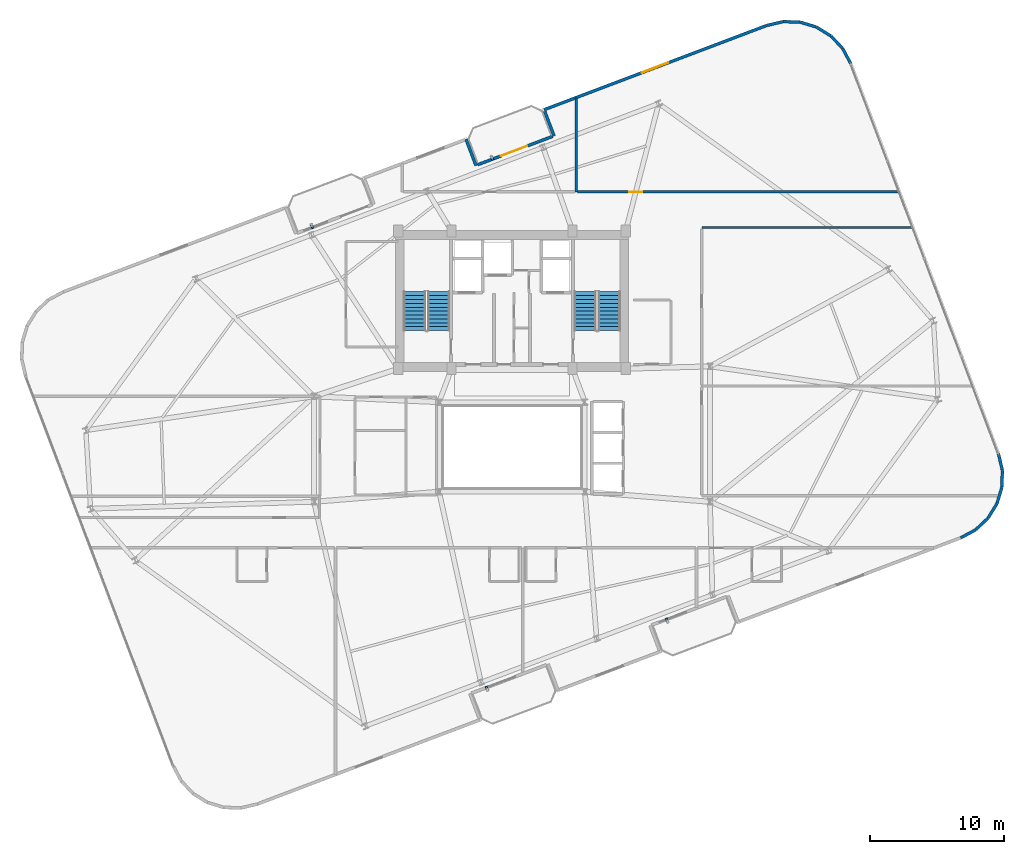
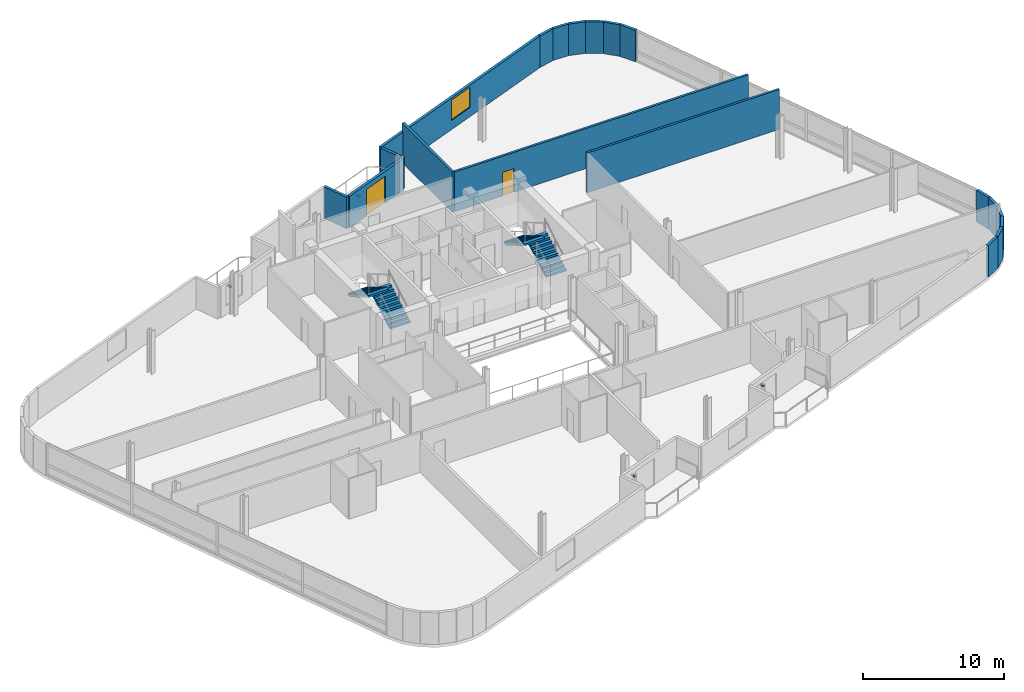
# One storey, part 17 of 19: 19 walls, 4 discrete accessories, 4 stair flights, 2 doors, 1 window, 3 openings, 2 elements without a shape of their own.
"""IFC4 building model written with IfcOpenShell, lengths in metres."""

from ifc_helpers import new_model, si_unit, direction, frame, frame_2d, origin, origin_2d, place, context, subcontext, project, spatial, polyline, rectangle, outline, extrude, source, transform, mapped, material, layer, layer_set, type_object, element, fill, aggregate, save


model = new_model("IFC4")

# Units and contexts
model_context = context("Model", 3, precision=1e-05, world=origin(), true_north=direction((0.0, 1.0)))
body_context = subcontext(model_context, "Body", "Model", "MODEL_VIEW")
ifc_project = project(units=[si_unit("LENGTHUNIT", "METRE"), si_unit("AREAUNIT", "SQUARE_METRE"), si_unit("VOLUMEUNIT", "CUBIC_METRE"), si_unit("PLANEANGLEUNIT", "RADIAN"), si_unit("MASSUNIT", "GRAM", prefix="KILO")], contexts=[model_context])

# Site, building, storey
site_placement = place(None, origin())
site = spatial("IfcSite", under=ifc_project, at=site_placement, CompositionType="ELEMENT")
building_placement = place(site_placement, origin())
building = spatial("IfcBuilding", under=site, at=building_placement, Name="Varnelok Gate Tower", CompositionType="ELEMENT")
storey_placement = place(building_placement, frame((0.0, 0.0, 246.0)))
storey = spatial("IfcBuildingStorey", under=building, at=storey_placement, Name="L63", CompositionType="ELEMENT", Elevation=246.0)

# Wall, opening, door
ifc_material_1 = material(Name="Concrete C45/55", Category="concrete")
ifc_layer_1 = layer(ifc_material_1, 0.219970703125)
ifc_layer_set_1 = layer_set([ifc_layer_1], Name="Concrete C45/55")
wall_type_1 = type_object("IfcWallType", Name="EW-BALC-220", PredefinedType="SOLIDWALL", material=ifc_layer_set_1)
wall_1_placement = place(storey_placement, frame((36.61669921875, 43.98583984375, 0.0), z_axis=(0.0, 0.0, 1.0), x_axis=(0.935227640088, 0.354046976001, 0.0)))
wall_1 = element("IfcWall", 1, at=wall_1_placement, inside=storey, type_object=wall_type_1, Name="L63 North Terrace Envelope Wall 4", PredefinedType="SOLIDWALL", context=body_context, shape_type="SweptSolid", body=[
    extrude(rectangle(XDim=6.0, YDim=0.219970703125, at=frame_2d((3.0, 0.0))), origin(), (0.0, 0.0, 1.0), 2.72998046875),
])
opening_1_placement = place(wall_1_placement, frame((1.887939453125, 0.0, 0.0)))
opening_1 = element("IfcOpeningElement", 2, at=opening_1_placement, cuts=wall_1, Name="Opening BD-2", PredefinedType="OPENING", context=body_context, shape_type="SweptSolid", body=[
    extrude(rectangle(XDim=2.10009765625, YDim=2.300048828125, at=frame_2d((1.050048828125, 1.14990234375))), frame((0.0, 0.119873046875, 0.0), z_axis=(0.0, -1.0, 0.0), x_axis=(1.0, 0.0, 0.0)), (0.0, 0.0, 1.0), 0.239990234375),
])
ifc_material_2 = material(Name="Anodized Aluminum Alloy 6063-T6", Category="aluminium")
door_type_1 = type_object("IfcDoorType", Name="DR-EXT-SLID2100", OperationType="SLIDING_TO_LEFT", PredefinedType="DOOR", material=ifc_material_2)
door_1_placement = place(opening_1_placement, origin())
door_1 = element("IfcDoor", 3, at=door_1_placement, inside=storey, type_object=door_type_1, Name="L63 North Balcony Glazed Door 4", OperationType="SLIDING_TO_LEFT", OverallHeight=2.300048828125, OverallWidth=2.10009765625, PredefinedType="DOOR", context=body_context, shape_type="SweptSolid", body=[
    extrude(rectangle(XDim=2.10009765625, YDim=2.300048828125, at=frame_2d((1.050048828125, 1.14990234375))), frame((0.0, 0.02490234375, 0.0), z_axis=(0.0, -1.0, 0.0), x_axis=(1.0, 0.0, 0.0)), (0.0, 0.0, 1.0), 0.050048828125),
])
fill(opening_1, door_1)

# Walls
wall_2_placement = place(storey_placement, frame((72.74560546875, 16.10498046875, 0.0), z_axis=(0.0, 0.0, 1.0), x_axis=(0.881112879796, 0.472906008693, 0.0)))
element("IfcWall", 4, at=wall_2_placement, inside=storey, type_object=wall_type_1, Name="L63 Perimeter Facade Closure Wall 14", PredefinedType="SOLIDWALL", context=body_context, shape_type="SweptSolid", body=[
    extrude(rectangle(XDim=1.256591796875, YDim=0.219970703125, at=frame_2d((0.62841796875, 0.0))), origin(), (0.0, 0.0, 1.0), 2.72998046875),
])
wall_3_placement = place(storey_placement, frame((73.870849609375, 16.716552734375, 0.0), z_axis=(0.0, 0.0, 1.0), x_axis=(0.728475443486, 0.685071914647, 0.0)))
element("IfcWall", 5, at=wall_3_placement, inside=storey, type_object=wall_type_1, Name="L63 Perimeter Facade Closure Wall 15", PredefinedType="SOLIDWALL", context=body_context, shape_type="SweptSolid", body=[
    extrude(rectangle(XDim=1.248779296875, YDim=0.219970703125, at=frame_2d((0.62451171875, 0.0))), origin(), (0.0, 0.0, 1.0), 2.72998046875),
])
for number, where, z_axis, x_axis, name in (
    (6, (74.793701171875, 17.59326171875, 0.0), (0.0, 0.0, 1.0), (0.526549805576, 0.850144283194, 0.0), "L63 Perimeter Facade Closure Wall 16"),
    (7, (75.458251953125, 18.6787109375, 0.0), (0.0, 0.0, 1.0), (0.288406081086, 0.957508189204, 0.0), "L63 Perimeter Facade Closure Wall 17"),
):
    element("IfcWall", number, at=place(storey_placement, frame(where, z_axis=z_axis, x_axis=x_axis)), inside=storey, type_object=wall_type_1, Name=name, PredefinedType="SOLIDWALL", context=body_context, shape_type="SweptSolid", body=[
        extrude(rectangle(XDim=1.24853515625, YDim=0.219970703125, at=frame_2d((0.624267578125, 0.0))), origin(), (0.0, 0.0, 1.0), 2.72998046875),
    ])
wall_4_placement = place(storey_placement, frame((75.819091796875, 19.8994140625, 0.0), z_axis=(0.0, 0.0, 1.0), x_axis=(0.030898954628, 0.999522513305, 0.0)))
element("IfcWall", 8, at=wall_4_placement, inside=storey, type_object=wall_type_1, Name="L63 Perimeter Facade Closure Wall 18", PredefinedType="SOLIDWALL", context=body_context, shape_type="SweptSolid", body=[
    extrude(rectangle(XDim=1.248291015625, YDim=0.219970703125, at=frame_2d((0.6240234375, 0.0))), origin(), (0.0, 0.0, 1.0), 2.72998046875),
])
wall_5_placement = place(storey_placement, frame((75.851806640625, 21.171630859375, 0.0), z_axis=(0.0, 0.0, 1.0), x_axis=(-0.228941257463, 0.973440239887, 0.0)))
element("IfcWall", 9, at=wall_5_placement, inside=storey, type_object=wall_type_1, Name="L63 Perimeter Facade Closure Wall 19", PredefinedType="SOLIDWALL", context=body_context, shape_type="SweptSolid", body=[
    extrude(rectangle(XDim=1.248779296875, YDim=0.219970703125, at=frame_2d((0.62451171875, 0.0))), origin(), (0.0, 0.0, 1.0), 2.72998046875),
])
wall_6_placement = place(storey_placement, frame((64.519287109375, 51.566162109375, 0.0), z_axis=(0.0, 0.0, 1.0), x_axis=(-0.473093575122, 0.881012184466, 0.0)))
element("IfcWall", 10, at=wall_6_placement, inside=storey, type_object=wall_type_1, Name="L63 Perimeter Facade Closure Wall 20", PredefinedType="SOLIDWALL", context=body_context, shape_type="SweptSolid", body=[
    extrude(rectangle(XDim=1.273681640625, YDim=0.219970703125, at=frame_2d((0.63671875, 0.0))), origin(), (0.0, 0.0, 1.0), 2.72998046875),
])
for number, where, z_axis, x_axis, name in (
    (11, (63.8994140625, 52.706298828125, 0.0), (0.0, 0.0, 1.0), (-0.684870565369, 0.728664743686, 0.0), "L63 Perimeter Facade Closure Wall 21"),
    (12, (63.02294921875, 53.629150390625, 0.0), (0.0, 0.0, 1.0), (-0.850198480006, 0.526462291712, 0.0), "L63 Perimeter Facade Closure Wall 22"),
):
    element("IfcWall", number, at=place(storey_placement, frame(where, z_axis=z_axis, x_axis=x_axis)), inside=storey, type_object=wall_type_1, Name=name, PredefinedType="SOLIDWALL", context=body_context, shape_type="SweptSolid", body=[
        extrude(rectangle(XDim=1.248779296875, YDim=0.219970703125, at=frame_2d((0.62451171875, 0.0))), origin(), (0.0, 0.0, 1.0), 2.72998046875),
    ])
for number, where, z_axis, x_axis, name in (
    (13, (61.937255859375, 54.293701171875, 0.0), (0.0, 0.0, 1.0), (-0.957508189204, 0.288406081086, 0.0), "L63 Perimeter Facade Closure Wall 23"),
    (14, (60.716796875, 54.65478515625, 0.0), (0.0, 0.0, 1.0), (-0.999528718359, 0.030697576053, 0.0), "L63 Perimeter Facade Closure Wall 24"),
):
    element("IfcWall", number, at=place(storey_placement, frame(where, z_axis=z_axis, x_axis=x_axis)), inside=storey, type_object=wall_type_1, Name=name, PredefinedType="SOLIDWALL", context=body_context, shape_type="SweptSolid", body=[
        extrude(rectangle(XDim=1.24853515625, YDim=0.219970703125, at=frame_2d((0.624267578125, 0.0))), origin(), (0.0, 0.0, 1.0), 2.72998046875),
    ])
wall_7_placement = place(storey_placement, frame((59.4443359375, 54.6875, 0.0), z_axis=(0.0, 0.0, 1.0), x_axis=(-0.973409523464, -0.229071821989, 0.0)))
element("IfcWall", 15, at=wall_7_placement, inside=storey, type_object=wall_type_1, Name="L63 Perimeter Facade Closure Wall 25", PredefinedType="SOLIDWALL", context=body_context, shape_type="SweptSolid", body=[
    extrude(rectangle(XDim=1.256591796875, YDim=0.219970703125, at=frame_2d((0.62841796875, 0.0))), origin(), (0.0, 0.0, 1.0), 2.72998046875),
])

# Wall, opening, window
wall_8_placement = place(storey_placement, frame((58.19775390625, 54.390869140625, 0.0), z_axis=(0.0, 0.0, 1.0), x_axis=(-0.935223849772, -0.354056988094, 0.0)))
wall_8 = element("IfcWall", 16, at=wall_8_placement, inside=storey, type_object=wall_type_1, Name="L63 Perimeter Facade Closure Wall 26", PredefinedType="SOLIDWALL", context=body_context, shape_type="SweptSolid", body=[
    extrude(rectangle(XDim=17.7470703125, YDim=0.219970703125, at=frame_2d((8.87353515625, 0.0))), origin(), (0.0, 0.0, 1.0), 2.72998046875),
])
opening_2_placement = place(wall_8_placement, frame((7.823486328125, 0.0, 0.800048828125)))
opening_2 = element("IfcOpeningElement", 17, at=opening_2_placement, cuts=wall_8, Name="Opening WN4", PredefinedType="OPENING", context=body_context, shape_type="SweptSolid", body=[
    extrude(rectangle(XDim=2.10009765625, YDim=1.75, at=frame_2d((1.050048828125, 0.875))), frame((0.0, 0.119873046875, 0.0), z_axis=(0.0, -1.0, 0.0), x_axis=(1.0, 0.0, 0.0)), (0.0, 0.0, 1.0), 0.239990234375),
])
ifc_material_3 = material(Name="Low-E Laminated Double Glazing IGU", Category="glass")
window_type = type_object("IfcWindowType", Name="WN-SUI-2100", PartitioningType="SINGLE_PANEL", PredefinedType="WINDOW", material=ifc_material_3)
window_placement = place(opening_2_placement, origin())
window = element("IfcWindow", 18, at=window_placement, inside=storey, type_object=window_type, Name="L63 Perimeter Vision Window 26", OverallHeight=1.75, OverallWidth=2.10009765625, PartitioningType="SINGLE_PANEL", PredefinedType="WINDOW", context=body_context, shape_type="SweptSolid", body=[
    extrude(rectangle(XDim=2.10009765625, YDim=1.75, at=frame_2d((1.050048828125, 0.875))), frame((0.0, 0.030029296875, 0.0), z_axis=(0.0, -1.0, 0.0), x_axis=(1.0, 0.0, 0.0)), (0.0, 0.0, 1.0), 0.06005859375),
])
fill(opening_2, window)

# Walls
wall_9_placement = place(storey_placement, frame((41.64453125, 47.990478515625, 0.0), z_axis=(0.0, 0.0, 1.0), x_axis=(0.354020680661, -0.935237594232, 0.0)))
element("IfcWall", 19, at=wall_9_placement, inside=storey, type_object=wall_type_1, Name="L63 Perimeter Facade Closure Wall 27", PredefinedType="SOLIDWALL", context=body_context, shape_type="SweptSolid", body=[
    extrude(rectangle(XDim=1.97509765625, YDim=0.219970703125, at=frame_2d((0.987548828125, 0.0))), origin(), (0.0, 0.0, 1.0), 2.72998046875),
])
wall_10_placement = place(storey_placement, frame((36.508056640625, 43.93408203125, 0.0), z_axis=(0.0, 0.0, 1.0), x_axis=(-0.354128469405, 0.935196785258, 0.0)))
element("IfcWall", 20, at=wall_10_placement, inside=storey, type_object=wall_type_1, Name="L63 Perimeter Facade Closure Wall 28", PredefinedType="SOLIDWALL", context=body_context, shape_type="SweptSolid", body=[
    extrude(rectangle(XDim=2.099853515625, YDim=0.219970703125, at=frame_2d((1.0498046875, 0.0))), origin(), (0.0, 0.0, 1.0), 2.72998046875),
])

# Wall, opening, door
ifc_material_4 = material(Name="Gypsum Plasterboard Acoustic Partition", Category="gypsum")
ifc_layer_2 = layer(ifc_material_4, 0.179931640625)
ifc_layer_set_2 = layer_set([ifc_layer_2], Name="Gypsum Plasterboard Acoustic Partition")
wall_type_2 = type_object("IfcWallType", Name="PW-CORR-180", PredefinedType="PARTITIONING", material=ifc_layer_set_2)
wall_11_placement = place(storey_placement, frame((44.080078125, 41.9599609375, 0.0), z_axis=(0.0, 0.0, 1.0), x_axis=(1.0, 0.0, 0.0)))
wall_11 = element("IfcWall", 21, at=wall_11_placement, inside=storey, type_object=wall_type_2, Name="Interior Partition", PredefinedType="PARTITIONING", context=body_context, shape_type="SweptSolid", body=[
    extrude(rectangle(XDim=24.015625, YDim=0.179931640625, at=frame_2d((12.0078125, 0.0))), origin(), (0.0, 0.0, 1.0), 3.449951171875),
])
opening_3_placement = place(wall_11_placement, frame((3.89501953125, 0.0, 0.0)))
opening_3 = element("IfcOpeningElement", 22, at=opening_3_placement, cuts=wall_11, Name="Opening D-I2", PredefinedType="OPENING", context=body_context, shape_type="SweptSolid", body=[
    extrude(rectangle(XDim=0.949951171875, YDim=2.050048828125, at=frame_2d((0.47509765625, 1.02490234375))), frame((0.0, 0.099853515625, 0.0), z_axis=(0.0, -1.0, 0.0), x_axis=(1.0, 0.0, 0.0)), (0.0, 0.0, 1.0), 0.199951171875),
])
ifc_material_5 = material(Name="Engineered Hardwood Timber", Category="wood")
door_type_2 = type_object("IfcDoorType", Name="DR-INT-950", OperationType="NOTDEFINED", PredefinedType="DOOR", material=ifc_material_5)
door_2_placement = place(opening_3_placement, origin())
door_2 = element("IfcDoor", 23, at=door_2_placement, inside=storey, type_object=door_type_2, Name="L63 Wellness Spa Lounge Door", OperationType="SINGLE_SWING_LEFT", OverallHeight=2.050048828125, OverallWidth=0.949951171875, PredefinedType="DOOR", context=body_context, shape_type="SweptSolid", body=[
    extrude(rectangle(XDim=0.949951171875, YDim=2.050048828125, at=frame_2d((0.47509765625, 1.02490234375))), frame((0.0, 0.02490234375, 0.0), z_axis=(0.0, -1.0, 0.0), x_axis=(1.0, 0.0, 0.0)), (0.0, 0.0, 1.0), 0.050048828125),
])
fill(opening_3, door_2)

# Walls
wall_12_placement = place(storey_placement, frame((53.389892578125, 39.300048828125, 0.0), z_axis=(0.0, 0.0, 1.0), x_axis=(1.0, 0.0, 0.0)))
element("IfcWall", 24, at=wall_12_placement, inside=storey, type_object=wall_type_2, Name="Interior Partition", PredefinedType="PARTITIONING", context=body_context, shape_type="SweptSolid", body=[
    extrude(rectangle(XDim=15.712890625, YDim=0.179931640625, at=frame_2d((7.8564453125, 0.0))), origin(), (0.0, 0.0, 1.0), 3.449951171875),
])
ifc_layer_3 = layer(ifc_material_4, 0.205078125)
ifc_layer_set_3 = layer_set([ifc_layer_3], Name="Gypsum Plasterboard Acoustic Partition")
wall_type_3 = type_object("IfcWallType", Name="PW-PARTY-200", PredefinedType="PARTITIONING", material=ifc_layer_set_3)
wall_13_placement = place(storey_placement, frame((44.0, 41.9599609375, 0.0), z_axis=(0.0, 0.0, 1.0), x_axis=(0.0, 1.0, 0.0)))
element("IfcWall", 25, at=wall_13_placement, inside=storey, type_object=wall_type_3, Name="L63 North Party Wall 2", PredefinedType="PARTITIONING", context=body_context, shape_type="SweptSolid", body=[
    extrude(rectangle(XDim=7.034423828125, YDim=0.205078125, at=frame_2d((3.51708984375, 0.0))), origin(), (0.0, 0.0, 1.0), 3.449951171875),
])

# Stair, stair flights
ifc_material_6 = material(Name="Concrete C50/60", Category="concrete")
stair_type = type_object("IfcStairType", Name="STR-CORE-1650", PredefinedType="HALF_TURN_STAIR", material=ifc_material_6)
stair_1_placement = place(storey_placement, origin())
stair_1 = element("IfcStair", 26, at=stair_1_placement, inside=storey, type_object=stair_type, Name="L63 Exit Stair ST-1", PredefinedType="HALF_TURN_STAIR")
stair_flight_type = type_object("IfcStairFlightType", Name="SFL-CORE-1650", PredefinedType="STRAIGHT", material=ifc_material_6)
stair_flight_1_placement = place(storey_placement, frame((33.72509765625, 31.60009765625, 0.0), z_axis=(0.0, 0.0, 1.0), x_axis=(0.0, 1.0, 0.0)))
stair_flight_1 = element("IfcStairFlight", 27, at=stair_flight_1_placement, type_object=stair_flight_type, Name="ST-1 flight 1", NumberOfRisers=11, NumberOfTreads=10, PredefinedType="STRAIGHT", RiserHeight=0.168181818, TreadLength=0.29, context=body_context, shape_type="SweptSolid", body=[
    extrude(outline(polyline([(0.0, 0.0), (0.0, 0.168212890625), (0.2900390625, 0.168212890625), (0.2900390625, 0.33642578125), (0.580078125, 0.33642578125), (0.580078125, 0.504638671875), (0.8701171875, 0.504638671875), (0.8701171875, 0.672607421875), (1.159912109375, 0.672607421875), (1.159912109375, 0.8408203125), (1.449951171875, 0.8408203125), (1.449951171875, 1.009033203125), (1.739990234375, 1.009033203125), (1.739990234375, 1.17724609375), (2.030029296875, 1.17724609375), (2.030029296875, 1.345458984375), (2.320068359375, 1.345458984375), (2.320068359375, 1.513671875), (2.610107421875, 1.513671875), (2.610107421875, 1.681884765625), (2.89990234375, 1.681884765625), (2.89990234375, 1.85009765625), (2.89990234375, 1.508544921875), (0.298828125, 0.0), (0.0, 0.0)])), frame((0.0, 0.824951171875, 0.0), z_axis=(0.0, -1.0, 0.0), x_axis=(1.0, 0.0, 0.0)), (0.0, 0.0, 1.0), 1.64990234375),
])
stair_flight_2_placement = place(storey_placement, frame((31.925048828125, 34.5, 1.85009765625), z_axis=(0.0, 0.0, 1.0), x_axis=(0.0, -1.0, 0.0)))
stair_flight_2 = element("IfcStairFlight", 28, at=stair_flight_2_placement, type_object=stair_flight_type, Name="ST-1 flight 2", NumberOfRisers=11, NumberOfTreads=10, PredefinedType="STRAIGHT", RiserHeight=0.168181818, TreadLength=0.29, context=body_context, shape_type="SweptSolid", body=[
    extrude(outline(polyline([(0.0, 0.0), (0.0, 0.168212890625), (0.2900390625, 0.168212890625), (0.2900390625, 0.33642578125), (0.580078125, 0.33642578125), (0.580078125, 0.504638671875), (0.8701171875, 0.504638671875), (0.8701171875, 0.672607421875), (1.159912109375, 0.672607421875), (1.159912109375, 0.8408203125), (1.449951171875, 0.8408203125), (1.449951171875, 1.009033203125), (1.739990234375, 1.009033203125), (1.739990234375, 1.17724609375), (2.030029296875, 1.17724609375), (2.030029296875, 1.345458984375), (2.320068359375, 1.345458984375), (2.320068359375, 1.513671875), (2.610107421875, 1.513671875), (2.610107421875, 1.681884765625), (2.89990234375, 1.681884765625), (2.89990234375, 1.85009765625), (2.89990234375, 1.508544921875), (0.298828125, 0.0), (0.0, 0.0)])), frame((0.0, 0.824951171875, 0.0), z_axis=(0.0, -1.0, 0.0), x_axis=(1.0, 0.0, 0.0)), (0.0, 0.0, 1.0), 1.64990234375),
])
aggregate(stair_1, [stair_flight_1, stair_flight_2])

stair_2_placement = place(storey_placement, origin())
stair_2 = element("IfcStair", 29, at=stair_2_placement, inside=storey, type_object=stair_type, Name="L63 Exit Stair ST-2", PredefinedType="HALF_TURN_STAIR")
stair_flight_3_placement = place(storey_placement, frame((46.47509765625, 31.60009765625, 0.0), z_axis=(0.0, 0.0, 1.0), x_axis=(0.0, 1.0, 0.0)))
stair_flight_3 = element("IfcStairFlight", 30, at=stair_flight_3_placement, type_object=stair_flight_type, Name="ST-2 flight 1", NumberOfRisers=11, NumberOfTreads=10, PredefinedType="STRAIGHT", RiserHeight=0.168181818, TreadLength=0.29, context=body_context, shape_type="SweptSolid", body=[
    extrude(outline(polyline([(0.0, 0.0), (0.0, 0.168212890625), (0.2900390625, 0.168212890625), (0.2900390625, 0.33642578125), (0.580078125, 0.33642578125), (0.580078125, 0.504638671875), (0.8701171875, 0.504638671875), (0.8701171875, 0.672607421875), (1.159912109375, 0.672607421875), (1.159912109375, 0.8408203125), (1.449951171875, 0.8408203125), (1.449951171875, 1.009033203125), (1.739990234375, 1.009033203125), (1.739990234375, 1.17724609375), (2.030029296875, 1.17724609375), (2.030029296875, 1.345458984375), (2.320068359375, 1.345458984375), (2.320068359375, 1.513671875), (2.610107421875, 1.513671875), (2.610107421875, 1.681884765625), (2.89990234375, 1.681884765625), (2.89990234375, 1.85009765625), (2.89990234375, 1.508544921875), (0.298828125, 0.0), (0.0, 0.0)])), frame((0.0, 0.824951171875, 0.0), z_axis=(0.0, -1.0, 0.0), x_axis=(1.0, 0.0, 0.0)), (0.0, 0.0, 1.0), 1.64990234375),
])
stair_flight_4_placement = place(storey_placement, frame((44.675048828125, 34.5, 1.85009765625), z_axis=(0.0, 0.0, 1.0), x_axis=(0.0, -1.0, 0.0)))
stair_flight_4 = element("IfcStairFlight", 31, at=stair_flight_4_placement, type_object=stair_flight_type, Name="ST-2 flight 2", NumberOfRisers=11, NumberOfTreads=10, PredefinedType="STRAIGHT", RiserHeight=0.168181818, TreadLength=0.29, context=body_context, shape_type="SweptSolid", body=[
    extrude(outline(polyline([(0.0, 0.0), (0.0, 0.168212890625), (0.2900390625, 0.168212890625), (0.2900390625, 0.33642578125), (0.580078125, 0.33642578125), (0.580078125, 0.504638671875), (0.8701171875, 0.504638671875), (0.8701171875, 0.672607421875), (1.159912109375, 0.672607421875), (1.159912109375, 0.8408203125), (1.449951171875, 0.8408203125), (1.449951171875, 1.009033203125), (1.739990234375, 1.009033203125), (1.739990234375, 1.17724609375), (2.030029296875, 1.17724609375), (2.030029296875, 1.345458984375), (2.320068359375, 1.345458984375), (2.320068359375, 1.513671875), (2.610107421875, 1.513671875), (2.610107421875, 1.681884765625), (2.89990234375, 1.681884765625), (2.89990234375, 1.85009765625), (2.89990234375, 1.508544921875), (0.298828125, 0.0), (0.0, 0.0)])), frame((0.0, 0.824951171875, 0.0), z_axis=(0.0, -1.0, 0.0), x_axis=(1.0, 0.0, 0.0)), (0.0, 0.0, 1.0), 1.64990234375),
])
aggregate(stair_2, [stair_flight_3, stair_flight_4])

# Discrete accessories
ifc_material_7 = material(Name="Structural Steel ASTM A500 Grade C", Category="steel")
discrete_accessory_type = type_object("IfcDiscreteAccessoryType", Name="ACC-BAGUETTE-BRK", PredefinedType="BRACKET", material=ifc_material_7)
shared_shape = source(origin(), body_context, "Body", "SweptSolid", [
    extrude(rectangle(XDim=0.159912109375, YDim=0.340087890625, at=origin_2d()), origin(), (0.0, 0.0, 1.0), 0.139892578125),
])
for number, where, z_axis, x_axis, name in (
    (32, (37.322509765625, 4.83984375, 1.97998046875), (0.0, 0.0, 1.0), (0.935221751401, 0.354062530786, 0.0), "L63 Terracotta Baguette Bracket 1.1"),
    (33, (50.789794921875, 9.9384765625, 1.97998046875), (0.0, 0.0, 1.0), (0.935221751401, 0.354062530786, 0.0), "L63 Terracotta Baguette Bracket 2.1"),
    (34, (24.243408203125, 39.386962890625, 1.97998046875), (0.0, 0.0, 1.0), (0.935221751401, 0.354062530786, 0.0), "L63 Terracotta Baguette Bracket 3.1"),
    (35, (37.710693359375, 44.485595703125, 1.97998046875), (0.0, 0.0, 1.0), (0.935221751401, 0.354062530786, 0.0), "L63 Terracotta Baguette Bracket 4.1"),
):
    element("IfcDiscreteAccessory", number, at=place(storey_placement, frame(where, z_axis=z_axis, x_axis=x_axis)), inside=storey, type_object=discrete_accessory_type, Name=name, PredefinedType="BRACKET", context=body_context, shape_type="MappedRepresentation", body=[
        mapped(shared_shape, transform((0.0, 0.0, 0.0), scale=1.0)),
    ])

save(model, "model.ifc")
